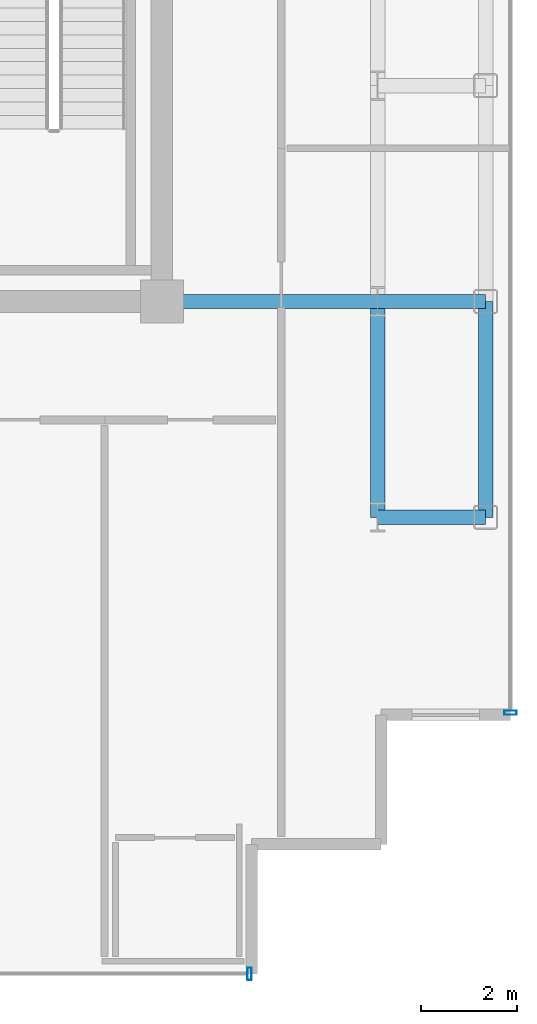
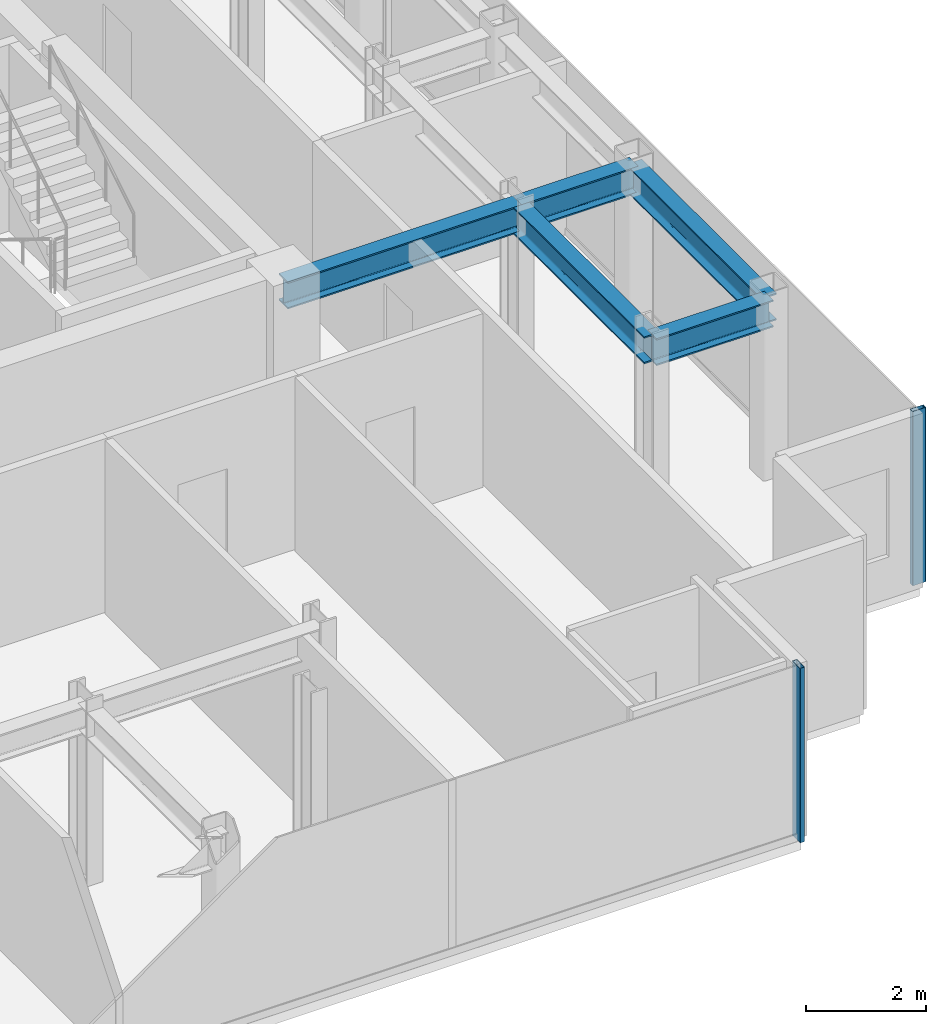
# One storey, part 6 of 18: 5 beams, 2 members, 2 elements without a shape of their own.
"""IFC4 building model written with IfcOpenShell, lengths in metres."""

from ifc_helpers import new_model, si_unit, direction, frame, origin, origin_2d, place, context, subcontext, project, spatial, hollow_rectangle, i_section, extrude, source, transform, mapped, material, layer, layer_set, material_profile, profile_set, type_object, element, aggregate, save


model = new_model("IFC4")

# Units and contexts
model_context = context("Model", 3, precision=1e-05, world=origin(), true_north=direction((0.0, 1.0)))
body_context = subcontext(model_context, "Body", "Model", "MODEL_VIEW")
ifc_project = project(units=[si_unit("LENGTHUNIT", "METRE"), si_unit("AREAUNIT", "SQUARE_METRE"), si_unit("VOLUMEUNIT", "CUBIC_METRE"), si_unit("PLANEANGLEUNIT", "RADIAN"), si_unit("MASSUNIT", "GRAM", prefix="KILO")], contexts=[model_context])

# Site, building, storey
site_placement = place(None, origin())
site = spatial("IfcSite", under=ifc_project, at=site_placement, CompositionType="ELEMENT")
building_placement = place(site_placement, origin())
building = spatial("IfcBuilding", under=site, at=building_placement, Name="Nefas-Gora Pilgrimage Tower", CompositionType="ELEMENT")
storey_placement = place(building_placement, frame((0.0, 0.0, 302.60009765625)))
storey = spatial("IfcBuildingStorey", under=building, at=storey_placement, Name="L76", CompositionType="ELEMENT", Elevation=302.60009765625)

# Beams
ifc_material_1 = material(Name="Steel S355", Category="steel")
ifc_material_profile_1 = material_profile(ifc_material_1, i_section(OverallWidth=0.300048828125, OverallDepth=0.550048828125, WebThickness=0.014892578125, FlangeThickness=0.029052734375, FilletRadius=0.027099609375, at=origin_2d()), Name="HEB 550")
ifc_profile_set_1 = profile_set([ifc_material_profile_1], Name="Steel S355")
beam_type_1 = type_object("IfcBeamType", Name="BM-SPN-HEB400", PredefinedType="SPANDREL", material=ifc_profile_set_1)
shared_shape_1 = source(origin(), body_context, "Body", "SweptSolid", [
    extrude(i_section(OverallWidth=0.300048828125, OverallDepth=0.550048828125, WebThickness=0.014892578125, FlangeThickness=0.029052734375, FilletRadius=0.027099609375, at=origin_2d()), origin(), (0.0, 0.0, 1.0), 4.5),
])
beam_placement = place(storey_placement, frame((18.0, -13.5, 3.27490234375), z_axis=(0.0, 1.0, 0.0), x_axis=(-1.0, 0.0, 0.0)))
element("IfcBeam", 1, at=beam_placement, inside=storey, type_object=beam_type_1, Name="L76 SP-04 beam", PredefinedType="SPANDREL", context=body_context, shape_type="MappedRepresentation", body=[
    mapped(shared_shape_1, transform((0.0, 0.0, 0.0), x_axis=(1.0, 0.0, 0.0), y_axis=(0.0, 1.0, 0.0), z_axis=(0.0, 0.0, 1.0), scale=1.0)),
])
ifc_material_profile_2 = material_profile(ifc_material_1, i_section(OverallWidth=0.300048828125, OverallDepth=0.550048828125, WebThickness=0.014892578125, FlangeThickness=0.029052734375, FilletRadius=0.027099609375, at=origin_2d()), Name="HEB 550")
ifc_profile_set_2 = profile_set([ifc_material_profile_2], Name="Steel S355")
beam_type_2 = type_object("IfcBeamType", Name="BM-GIR-HEB550", PredefinedType="BEAM", material=ifc_profile_set_2)
shared_shape_2 = source(origin(), body_context, "Body", "SweptSolid", [
    extrude(i_section(OverallWidth=0.300048828125, OverallDepth=0.550048828125, WebThickness=0.014892578125, FlangeThickness=0.029052734375, FilletRadius=0.027099609375, at=origin_2d()), origin(), (0.0, 0.0, 1.0), 4.5),
])
for number, where, z_axis, x_axis, name in (
    (2, (11.25, -9.0, 3.27490234375), (1.0, 0.0, 0.0), (0.0, 1.0, 0.0), "L76 G-05 beam"),
    (3, (15.75, -13.5, 3.27490234375), (0.0, 1.0, 0.0), (-1.0, 0.0, 0.0), "L76 G-05 beam"),
):
    element("IfcBeam", number, at=place(storey_placement, frame(where, z_axis=z_axis, x_axis=x_axis)), inside=storey, type_object=beam_type_2, Name=name, PredefinedType="BEAM", context=body_context, shape_type="MappedRepresentation", body=[
        mapped(shared_shape_2, transform((0.0, 0.0, 0.0), x_axis=(1.0, 0.0, 0.0), y_axis=(0.0, 1.0, 0.0), z_axis=(0.0, 0.0, 1.0), scale=1.0)),
    ])
shared_shape_3 = source(origin(), body_context, "Body", "SweptSolid", [
    extrude(i_section(OverallWidth=0.300048828125, OverallDepth=0.550048828125, WebThickness=0.014892578125, FlangeThickness=0.029052734375, FilletRadius=0.027099609375, at=origin_2d()), origin(), (0.0, 0.0, 1.0), 2.25),
])
for number, where, z_axis, x_axis, name in (
    (4, (15.75, -13.5, 3.27490234375), (1.0, 0.0, 0.0), (0.0, 1.0, 0.0), "L76 G-05 beam"),
    (5, (15.75, -9.0, 3.27490234375), (1.0, 0.0, 0.0), (0.0, 1.0, 0.0), "L76 G-05 beam"),
):
    element("IfcBeam", number, at=place(storey_placement, frame(where, z_axis=z_axis, x_axis=x_axis)), inside=storey, type_object=beam_type_2, Name=name, PredefinedType="BEAM", context=body_context, shape_type="MappedRepresentation", body=[
        mapped(shared_shape_3, transform((0.0, 0.0, 0.0), x_axis=(1.0, 0.0, 0.0), y_axis=(0.0, 1.0, 0.0), z_axis=(0.0, 0.0, 1.0), scale=1.0)),
    ])

# Curtain wall, member
ifc_material_2 = material(Name="Dark ceramic-fritted solar-control aluminium-glass curtain wall", Category="aluminium")
ifc_layer = layer(ifc_material_2, 0.219970703125)
ifc_layer_set = layer_set([ifc_layer], Name="Dark ceramic-fritted solar-control aluminium-glass curtain wall")
curtain_wall_type = type_object("IfcCurtainWallType", Name="CW-SYS-4", PredefinedType="NOTDEFINED", material=ifc_layer_set)
curtain_wall_1_placement = place(storey_placement, origin())
curtain_wall_1 = element("IfcCurtainWall", 6, at=curtain_wall_1_placement, inside=storey, type_object=curtain_wall_type, Name="L76 Unitised Curtain Wall CW4", PredefinedType="NOTDEFINED")
ifc_material_3 = material(Name="Anodised architectural aluminium", Category="aluminium")
ifc_material_profile_3 = material_profile(ifc_material_3, hollow_rectangle(XDim=0.090087890625, YDim=0.260009765625, WallThickness=0.006103515625, InnerFilletRadius=0.006103515625, OuterFilletRadius=0.011962890625, at=origin_2d()), Name="ALU MULLION 90x260")
ifc_profile_set_3 = profile_set([ifc_material_profile_3], Name="Anodised architectural aluminium")
member_type = type_object("IfcMemberType", Name="CWM-MUL-4", PredefinedType="MULLION", material=ifc_profile_set_3)
shared_shape_4 = source(origin(), body_context, "Body", "SweptSolid", [
    extrude(hollow_rectangle(XDim=0.090087890625, YDim=0.260009765625, WallThickness=0.006103515625, InnerFilletRadius=0.006103515625, OuterFilletRadius=0.011962890625, at=origin_2d()), origin(), (0.0, 0.0, 1.0), 3.5498046875),
])
member_1_placement = place(storey_placement, frame((18.52001953125, -17.574951171875, 0.0), z_axis=(0.0, 0.0, 1.0), x_axis=(0.0, 1.0, 0.0)))
member_1 = element("IfcMember", 7, at=member_1_placement, type_object=member_type, Name="CW4 Mullion 1", PredefinedType="MULLION", context=body_context, shape_type="MappedRepresentation", body=[
    mapped(shared_shape_4, transform((0.0, 0.0, 0.0), x_axis=(1.0, 0.0, 0.0), y_axis=(0.0, 1.0, 0.0), z_axis=(0.0, 0.0, 1.0), scale=1.0)),
])
aggregate(curtain_wall_1, [member_1])

curtain_wall_2_placement = place(storey_placement, origin())
curtain_wall_2 = element("IfcCurtainWall", 8, at=curtain_wall_2_placement, inside=storey, type_object=curtain_wall_type, Name="L76 Unitised Curtain Wall CW4", PredefinedType="NOTDEFINED")
member_2_placement = place(storey_placement, frame((13.074951171875, -23.02001953125, 0.0), z_axis=(0.0, 0.0, 1.0), x_axis=(1.0, 0.0, 0.0)))
member_2 = element("IfcMember", 9, at=member_2_placement, type_object=member_type, Name="CW4 Mullion 2", PredefinedType="MULLION", context=body_context, shape_type="MappedRepresentation", body=[
    mapped(shared_shape_4, transform((0.0, 0.0, 0.0), x_axis=(1.0, 0.0, 0.0), y_axis=(0.0, 1.0, 0.0), z_axis=(0.0, 0.0, 1.0), scale=1.0)),
])
aggregate(curtain_wall_2, [member_2])

save(model, "model.ifc")
